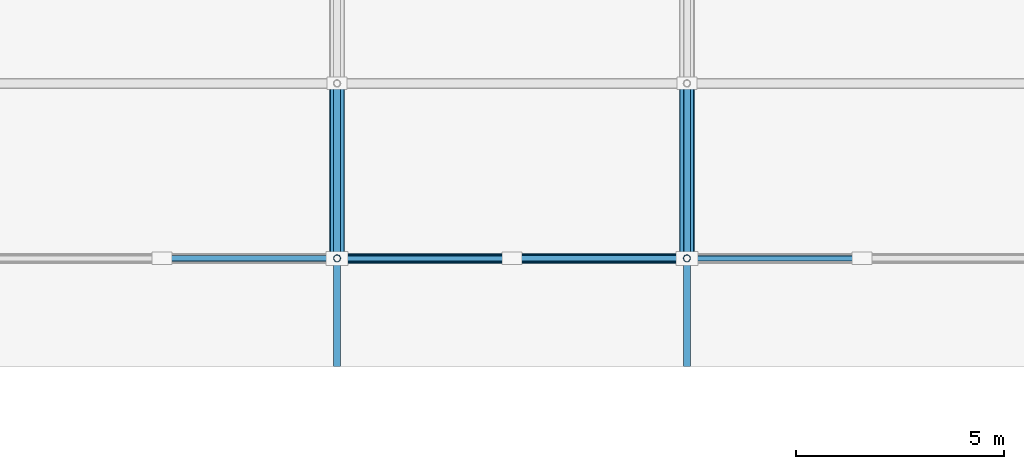
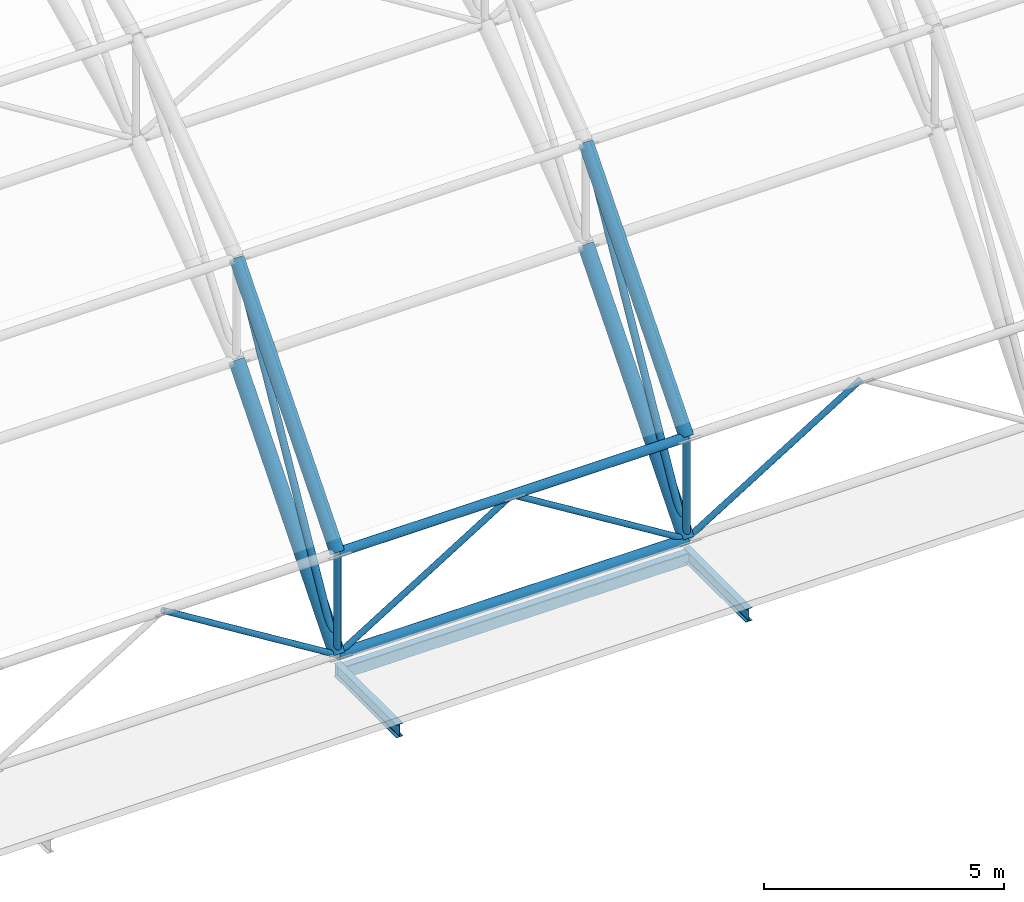
# One storey, part 20 of 103: 10 members, 7 beams.
"""IFC4 building model written with IfcOpenShell, lengths in metres."""

from ifc_helpers import new_model, si_unit, direction, frame, origin, origin_2d, place, context, subcontext, project, spatial, hollow_rectangle, hollow_circle, i_section, extrude, material, material_profile, profile_set, type_object, element, save


model = new_model("IFC4")

# Units and contexts
model_context = context("Model", 3, precision=1e-05, world=origin(), true_north=direction((0.0, 1.0)))
body_context = subcontext(model_context, "Body", "Model", "MODEL_VIEW")
ifc_project = project(units=[si_unit("LENGTHUNIT", "METRE"), si_unit("AREAUNIT", "SQUARE_METRE"), si_unit("VOLUMEUNIT", "CUBIC_METRE"), si_unit("PLANEANGLEUNIT", "RADIAN"), si_unit("MASSUNIT", "GRAM", prefix="KILO")], contexts=[model_context])

# Site, building, storey
site_placement = place(None, origin())
site = spatial("IfcSite", under=ifc_project, at=site_placement, CompositionType="ELEMENT")
building_placement = place(site_placement, origin())
building = spatial("IfcBuilding", under=site, at=building_placement, Name="Varnapada Polytechnic", CompositionType="ELEMENT")
storey_placement = place(building_placement, frame((0.0, 0.0, 18.0)))
storey = spatial("IfcBuildingStorey", under=building, at=storey_placement, Name="L04", CompositionType="ELEMENT", Elevation=18.0)

# Beams
ifc_material = material(Name="Steel S355", Category="steel")
ifc_material_profile_1 = material_profile(ifc_material, i_section(OverallWidth=0.159912109375, OverallDepth=0.330078125, WebThickness=0.007568359375, FlangeThickness=0.011474609375, FilletRadius=0.01806640625, at=origin_2d()), Name="IPE 330")
ifc_profile_set_1 = profile_set([ifc_material_profile_1], Name="Steel S355")
beam_type_1 = type_object("IfcBeamType", Name="Clerestory monitor steel rafter SB-07 (IPE 330)", PredefinedType="BEAM", material=ifc_profile_set_1)
for number, where, z_axis, x_axis, name in (
    (1, (67.199951171875, 84.0, -0.35009765625), (0.0, -1.0, 0.0), (1.0, 0.0, 0.0), "Workshop eave shade outlooker S.3"),
    (2, (75.60009765625, 84.0, -0.35009765625), (0.0, -1.0, 0.0), (1.0, 0.0, 0.0), "Workshop eave shade outlooker S.4"),
):
    element("IfcBeam", number, at=place(storey_placement, frame(where, z_axis=z_axis, x_axis=x_axis)), inside=storey, type_object=beam_type_1, Name=name, PredefinedType="BEAM", context=body_context, shape_type="SweptSolid", body=[
        extrude(i_section(OverallWidth=0.159912109375, OverallDepth=0.330078125, WebThickness=0.007568359375, FlangeThickness=0.011474609375, FilletRadius=0.01806640625, at=origin_2d()), origin(), (0.0, 0.0, 1.0), 2.60009765625),
    ])

# Members
ifc_material_profile_2 = material_profile(ifc_material, hollow_circle(Radius=0.122314453125, WallThickness=0.008056640625, at=origin_2d()), Name="CHS 244.5x8.0")
ifc_profile_set_2 = profile_set([ifc_material_profile_2], Name="Steel S355")
member_type_1 = type_object("IfcMemberType", Name="Vaulted space frame longitudinal bottom chord SFC-01 (CHS 244.5x8.0)", PredefinedType="CHORD", material=ifc_profile_set_2)
member_1_placement = place(storey_placement, frame((67.199951171875, 84.0, 0.0), z_axis=(1.0, 0.0, 0.0), x_axis=(0.0, 1.0, 0.0)))
element("IfcMember", 3, at=member_1_placement, inside=storey, type_object=member_type_1, Name="Vaulted space frame longitudinal bottom chord 3.1", PredefinedType="CHORD", context=body_context, shape_type="SweptSolid", body=[
    extrude(hollow_circle(Radius=0.122314453125, WallThickness=0.008056640625, at=origin_2d()), origin(), (0.0, 0.0, 1.0), 8.400146484375),
])
ifc_material_profile_3 = material_profile(ifc_material, hollow_circle(Radius=0.109619140625, WallThickness=0.008056640625, at=origin_2d()), Name="CHS 219.1x8.0")
ifc_profile_set_3 = profile_set([ifc_material_profile_3], Name="Steel S355")
member_type_2 = type_object("IfcMemberType", Name="Vaulted space frame longitudinal top chord SFC-02 (CHS 219.1x8.0)", PredefinedType="CHORD", material=ifc_profile_set_3)
member_2_placement = place(storey_placement, frame((67.199951171875, 84.0, 2.60009765625), z_axis=(1.0, 0.0, 0.0), x_axis=(0.0, 1.0, 0.0)))
element("IfcMember", 4, at=member_2_placement, inside=storey, type_object=member_type_2, Name="Vaulted space frame longitudinal top chord 3.1", PredefinedType="CHORD", context=body_context, shape_type="SweptSolid", body=[
    extrude(hollow_circle(Radius=0.109619140625, WallThickness=0.008056640625, at=origin_2d()), origin(), (0.0, 0.0, 1.0), 8.400146484375),
])

# Beams
ifc_material_profile_4 = material_profile(ifc_material, hollow_circle(Radius=0.177734375, WallThickness=0.012451171875, at=origin_2d()), Name="CHS 355.6x12.5")
ifc_profile_set_4 = profile_set([ifc_material_profile_4], Name="Steel S355")
beam_type_2 = type_object("IfcBeamType", Name="Vaulted space frame primary arch rib VA-01 (CHS 355.6x12.5)", PredefinedType="BEAM", material=ifc_profile_set_4)
for number, where, z_axis, x_axis, name in (
    (5, (67.199951171875, 84.0, 0.0), (0.0, 0.647032448214, 0.762462465279), (-1.0, 0.0, 0.0), "Vaulted space frame bottom arch chord 3.1"),
    (6, (75.60009765625, 84.0, 0.0), (0.0, 0.647032448214, 0.762462465279), (-1.0, 0.0, 0.0), "Vaulted space frame bottom arch chord 4.1"),
):
    element("IfcBeam", number, at=place(storey_placement, frame(where, z_axis=z_axis, x_axis=x_axis)), inside=storey, type_object=beam_type_2, Name=name, PredefinedType="BEAM", context=body_context, shape_type="SweptSolid", body=[
        extrude(hollow_circle(Radius=0.177734375, WallThickness=0.012451171875, at=origin_2d()), origin(), (0.0, 0.0, 1.0), 6.4912109375),
    ])

# Members
ifc_material_profile_5 = material_profile(ifc_material, hollow_circle(Radius=0.084228515625, WallThickness=0.00634765625, at=origin_2d()), Name="CHS 168.3x6.3")
ifc_profile_set_5 = profile_set([ifc_material_profile_5], Name="Steel S355")
member_type_3 = type_object("IfcMemberType", Name="Vaulted space frame primary web diagonal SFB-01 (CHS 168.3x6.3)", PredefinedType="BRACE", material=ifc_profile_set_5)
for number, where, z_axis, x_axis, name in (
    (7, (67.199951171875, 84.0, 0.0), (0.0, 0.486175535898, 0.873861172209), (-1.0, 0.0, 0.0), "Vaulted space frame web diagonal 3.1"),
    (8, (75.60009765625, 84.0, 0.0), (0.0, 0.486175535898, 0.873861172209), (-1.0, 0.0, 0.0), "Vaulted space frame web diagonal 4.1"),
):
    element("IfcMember", number, at=place(storey_placement, frame(where, z_axis=z_axis, x_axis=x_axis)), inside=storey, type_object=member_type_3, Name=name, PredefinedType="BRACE", context=body_context, shape_type="SweptSolid", body=[
        extrude(hollow_circle(Radius=0.084228515625, WallThickness=0.00634765625, at=origin_2d()), origin(), (0.0, 0.0, 1.0), 8.638671875),
    ])
ifc_material_profile_6 = material_profile(ifc_material, hollow_circle(Radius=0.084228515625, WallThickness=0.00634765625, at=origin_2d()), Name="CHS 168.3x6.3")
ifc_profile_set_6 = profile_set([ifc_material_profile_6], Name="Steel S355")
member_type_4 = type_object("IfcMemberType", Name="Vaulted space frame radial web strut SFS-01 (CHS 168.3x6.3)", PredefinedType="STRUT", material=ifc_profile_set_6)
for number, where, z_axis, x_axis, name in (
    (9, (67.199951171875, 84.0, 0.0), (0.0, 0.0, 1.0), (1.0, 0.0, 0.0), "Vaulted space frame strut 3.1"),
    (10, (75.60009765625, 84.0, 0.0), (0.0, 0.0, 1.0), (1.0, 0.0, 0.0), "Vaulted space frame strut 4.1"),
):
    element("IfcMember", number, at=place(storey_placement, frame(where, z_axis=z_axis, x_axis=x_axis)), inside=storey, type_object=member_type_4, Name=name, PredefinedType="STRUT", context=body_context, shape_type="SweptSolid", body=[
        extrude(hollow_circle(Radius=0.084228515625, WallThickness=0.00634765625, at=origin_2d()), origin(), (0.0, 0.0, 1.0), 2.60009765625),
    ])
ifc_material_profile_7 = material_profile(ifc_material, hollow_circle(Radius=0.06982421875, WallThickness=0.0048828125, at=origin_2d()), Name="CHS 139.7x5.0")
ifc_profile_set_7 = profile_set([ifc_material_profile_7], Name="Steel S355")
member_type_5 = type_object("IfcMemberType", Name="Vaulted space frame secondary web diagonal SFB-02 (CHS 139.7x5.0)", PredefinedType="BRACE", material=ifc_profile_set_7)
for number, where, z_axis, x_axis, name in (
    (11, (67.199951171875, 84.0, 0.0), (-0.85025356003, 0.0, 0.526373331065), (0.0, -1.0, 0.0), "Vaulted space frame longitudinal brace 2.1B"),
    (12, (67.199951171875, 84.0, 0.0), (0.85025356003, 0.0, 0.526373331065), (0.0, 1.0, 0.0), "Vaulted space frame longitudinal brace 3.1A"),
):
    element("IfcMember", number, at=place(storey_placement, frame(where, z_axis=z_axis, x_axis=x_axis)), inside=storey, type_object=member_type_5, Name=name, PredefinedType="BRACE", context=body_context, shape_type="SweptSolid", body=[
        extrude(hollow_circle(Radius=0.06982421875, WallThickness=0.0048828125, at=origin_2d()), origin(), (0.0, 0.0, 1.0), 4.939697265625),
    ])
member_3_placement = place(storey_placement, frame((75.60009765625, 84.0, 0.0), z_axis=(-0.85026725322, 0.0, 0.526351211741), x_axis=(0.0, -1.0, 0.0)))
element("IfcMember", 13, at=member_3_placement, inside=storey, type_object=member_type_5, Name="Vaulted space frame longitudinal brace 3.1B", PredefinedType="BRACE", context=body_context, shape_type="SweptSolid", body=[
    extrude(hollow_circle(Radius=0.06982421875, WallThickness=0.0048828125, at=origin_2d()), origin(), (0.0, 0.0, 1.0), 4.93994140625),
])
member_4_placement = place(storey_placement, frame((75.60009765625, 84.0, 0.0), z_axis=(0.85025356003, 0.0, 0.526373331065), x_axis=(0.0, 1.0, 0.0)))
element("IfcMember", 14, at=member_4_placement, inside=storey, type_object=member_type_5, Name="Vaulted space frame longitudinal brace 4.1A", PredefinedType="BRACE", context=body_context, shape_type="SweptSolid", body=[
    extrude(hollow_circle(Radius=0.06982421875, WallThickness=0.0048828125, at=origin_2d()), origin(), (0.0, 0.0, 1.0), 4.939697265625),
])

# Beams
ifc_material_profile_8 = material_profile(ifc_material, hollow_circle(Radius=0.161865234375, WallThickness=0.010009765625, at=origin_2d()), Name="CHS 323.9x10.0")
ifc_profile_set_8 = profile_set([ifc_material_profile_8], Name="Steel S355")
beam_type_3 = type_object("IfcBeamType", Name="Vaulted space frame upper arch rib VA-02 (CHS 323.9x10.0)", PredefinedType="BEAM", material=ifc_profile_set_8)
for number, where, z_axis, x_axis, name in (
    (15, (67.199951171875, 84.0, 2.60009765625), (0.0, 0.647051003787, 0.762446718465), (-1.0, 0.0, 0.0), "Vaulted space frame top arch chord 3.1"),
    (16, (75.60009765625, 84.0, 2.60009765625), (0.0, 0.647051003787, 0.762446718465), (-1.0, 0.0, 0.0), "Vaulted space frame top arch chord 4.1"),
):
    element("IfcBeam", number, at=place(storey_placement, frame(where, z_axis=z_axis, x_axis=x_axis)), inside=storey, type_object=beam_type_3, Name=name, PredefinedType="BEAM", context=body_context, shape_type="SweptSolid", body=[
        extrude(hollow_circle(Radius=0.161865234375, WallThickness=0.010009765625, at=origin_2d()), origin(), (0.0, 0.0, 1.0), 6.490966796875),
    ])
ifc_material_profile_9 = material_profile(ifc_material, hollow_rectangle(XDim=0.199951171875, YDim=0.300048828125, WallThickness=0.010009765625, InnerFilletRadius=0.010009765625, OuterFilletRadius=0.02001953125, at=origin_2d()), Name="RHS 300x200x10")
ifc_profile_set_9 = profile_set([ifc_material_profile_9], Name="Steel S355")
beam_type_4 = type_object("IfcBeamType", Name="Workshop steel spandrel tie SP-03 (RHS 300x200x10)", PredefinedType="SPANDREL", material=ifc_profile_set_9)
beam_placement = place(storey_placement, frame((67.199951171875, 84.0, -0.449951171875), z_axis=(1.0, 0.0, 0.0), x_axis=(0.0, 1.0, 0.0)))
element("IfcBeam", 17, at=beam_placement, inside=storey, type_object=beam_type_4, Name="L04 workshop clerestory tie X9-10 Y11", PredefinedType="SPANDREL", context=body_context, shape_type="SweptSolid", body=[
    extrude(hollow_rectangle(XDim=0.199951171875, YDim=0.300048828125, WallThickness=0.010009765625, InnerFilletRadius=0.010009765625, OuterFilletRadius=0.02001953125, at=origin_2d()), origin(), (0.0, 0.0, 1.0), 8.400146484375),
])

save(model, "model.ifc")
